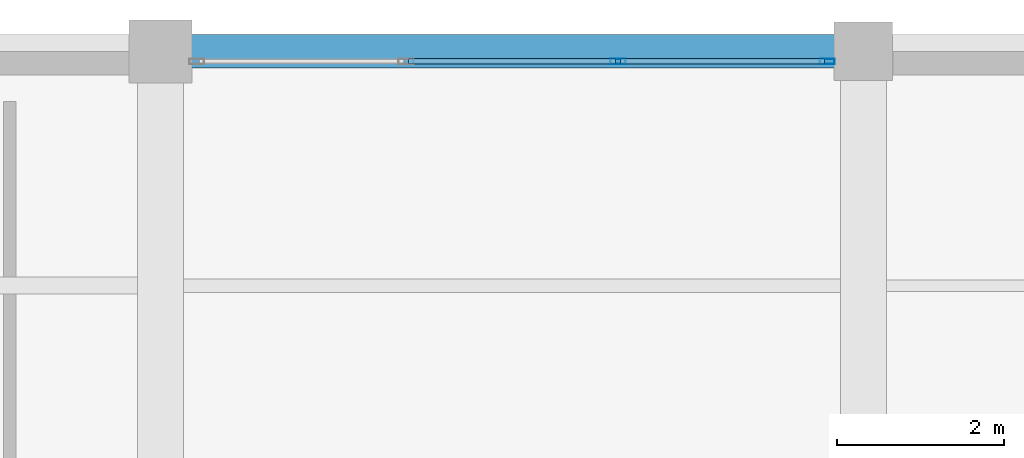
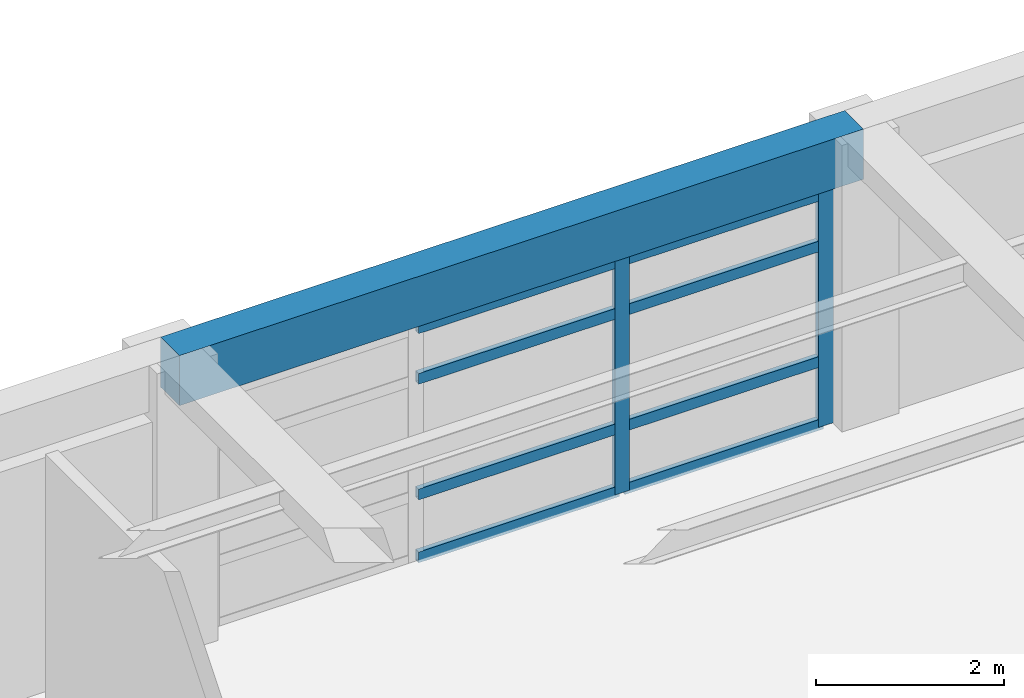
# One storey, part 17 of 26: 10 members, 1 beam, 1 element without a shape of its own.
"""IFC4 building model written with IfcOpenShell, lengths in metres."""

from ifc_helpers import new_model, si_unit, direction, frame, origin, origin_2d, place, context, subcontext, project, spatial, rectangle, hollow_rectangle, extrude, material, material_profile, profile_set, type_object, element, aggregate, save


model = new_model("IFC4")

# Units and contexts
model_context = context("Model", 3, precision=1e-05, world=origin(), true_north=direction((0.0, 1.0)))
body_context = subcontext(model_context, "Body", "Model", "MODEL_VIEW")
ifc_project = project(units=[si_unit("LENGTHUNIT", "METRE"), si_unit("AREAUNIT", "SQUARE_METRE"), si_unit("VOLUMEUNIT", "CUBIC_METRE"), si_unit("PLANEANGLEUNIT", "RADIAN"), si_unit("MASSUNIT", "GRAM", prefix="KILO")], contexts=[model_context])

# Site, building, storey
site_placement = place(None, origin())
site = spatial("IfcSite", under=ifc_project, at=site_placement, CompositionType="ELEMENT")
building_placement = place(site_placement, origin())
building = spatial("IfcBuilding", under=site, at=building_placement, Name="Almacenes y Pasaje Nevantli", CompositionType="ELEMENT")
storey_placement = place(building_placement, frame((0.0, 0.0, 38.699951171875)))
storey = spatial("IfcBuildingStorey", under=building, at=storey_placement, Name="L09", CompositionType="ELEMENT", Elevation=38.699951171875)

# Beam
ifc_material_1 = material(Name="Concrete C35/45", Category="concrete")
ifc_material_profile_1 = material_profile(ifc_material_1, rectangle(XDim=0.39990234375, YDim=0.64990234375, at=origin_2d()), Name="RC-BM-400x650")
ifc_profile_set_1 = profile_set([ifc_material_profile_1], Name="Concrete C35/45")
beam_type = type_object("IfcBeamType", Name="BM-RC-400x650", PredefinedType="SPANDREL", material=ifc_profile_set_1)
beam_placement = place(storey_placement, frame((117.60009765625, 100.800048828125, 3.39501953125), z_axis=(1.0, 0.0, 0.0), x_axis=(0.0, 1.0, 0.0)))
element("IfcBeam", 1, at=beam_placement, inside=storey, type_object=beam_type, Name="L09 East-West Reinforced Concrete Beam #3766", PredefinedType="SPANDREL", context=body_context, shape_type="SweptSolid", body=[
    extrude(rectangle(XDim=0.39990234375, YDim=0.64990234375, at=origin_2d()), origin(), (0.0, 0.0, 1.0), 8.39990234375),
])

# Curtain wall, members
ifc_material_2 = material(Name="Thermally Broken Aluminium and Low-E Glass", Category="aluminium")
curtain_wall_type = type_object("IfcCurtainWallType", Name="CW-UNIT-TOWER", PredefinedType="USERDEFINED", material=ifc_material_2)
curtain_wall_placement = place(storey_placement, origin())
curtain_wall = element("IfcCurtainWall", 2, at=curtain_wall_placement, inside=storey, type_object=curtain_wall_type, Name="L09 Tower North Boulevard Unitized Curtain Wall Bay 15", ObjectType="UNITIZED CURTAIN WALL", PredefinedType="USERDEFINED")
ifc_material_3 = material(Name="Thermally Broken Anodized Aluminium", Category="aluminium")
ifc_material_profile_2 = material_profile(ifc_material_3, hollow_rectangle(XDim=0.06494140625, YDim=0.179931640625, WallThickness=0.00390625, at=origin_2d()), Name="ALU-MUL-65x180")
ifc_profile_set_2 = profile_set([ifc_material_profile_2], Name="Thermally Broken Anodized Aluminium")
member_type_1 = type_object("IfcMemberType", Name="CW-MUL-200", PredefinedType="MULLION", material=ifc_profile_set_2)
member_1_placement = place(storey_placement, frame((123.066650390625, 100.679931640625, 0.0), z_axis=(0.0, 0.0, 1.0), x_axis=(0.0, 1.0, 0.0)))
member_1 = element("IfcMember", 3, at=member_1_placement, type_object=member_type_1, Name="CW-L09-132 mullion 3", PredefinedType="MULLION", context=body_context, shape_type="SweptSolid", body=[
    extrude(hollow_rectangle(XDim=0.06494140625, YDim=0.179931640625, WallThickness=0.00390625, at=origin_2d()), origin(), (0.0, 0.0, 1.0), 3.0400390625),
])
member_2_placement = place(storey_placement, frame((125.5673828125, 100.679931640625, 0.0), z_axis=(0.0, 0.0, 1.0), x_axis=(0.0, 1.0, 0.0)))
member_2 = element("IfcMember", 4, at=member_2_placement, type_object=member_type_1, Name="CW-L09-132 mullion 4", PredefinedType="MULLION", context=body_context, shape_type="SweptSolid", body=[
    extrude(hollow_rectangle(XDim=0.06494140625, YDim=0.179931640625, WallThickness=0.00390625, at=origin_2d()), origin(), (0.0, 0.0, 1.0), 3.0400390625),
])
ifc_material_4 = material(Name="Thermally Broken Anodized Aluminium", Category="aluminium")
ifc_material_profile_3 = material_profile(ifc_material_4, hollow_rectangle(XDim=0.06494140625, YDim=0.139892578125, WallThickness=0.00390625, at=origin_2d()), Name="ALU-TRN-65x140")
ifc_profile_set_3 = profile_set([ifc_material_profile_3], Name="Thermally Broken Anodized Aluminium")
member_type_2 = type_object("IfcMemberType", Name="CW-TRN-150", PredefinedType="USERDEFINED", material=ifc_profile_set_3)
member_3_placement = place(storey_placement, frame((120.56591796875, 100.679931640625, 0.032470703125), z_axis=(1.0, 0.0, 0.0), x_axis=(0.0, 1.0, 0.0)))
member_3 = element("IfcMember", 5, at=member_3_placement, type_object=member_type_2, Name="CW-L09-132 transom 2.1", ObjectType="TRANSOM", PredefinedType="USERDEFINED", context=body_context, shape_type="SweptSolid", body=[
    extrude(hollow_rectangle(XDim=0.06494140625, YDim=0.139892578125, WallThickness=0.00390625, at=origin_2d()), origin(), (0.0, 0.0, 1.0), 2.46826171875),
])
member_4_placement = place(storey_placement, frame((120.56591796875, 100.679931640625, 0.85009765625), z_axis=(1.0, 0.0, 0.0), x_axis=(0.0, 1.0, 0.0)))
member_4 = element("IfcMember", 6, at=member_4_placement, type_object=member_type_2, Name="CW-L09-132 transom 2.2", ObjectType="TRANSOM", PredefinedType="USERDEFINED", context=body_context, shape_type="SweptSolid", body=[
    extrude(hollow_rectangle(XDim=0.06494140625, YDim=0.139892578125, WallThickness=0.00390625, at=origin_2d()), origin(), (0.0, 0.0, 1.0), 2.46826171875),
])
member_5_placement = place(storey_placement, frame((120.56591796875, 100.679931640625, 2.35009765625), z_axis=(1.0, 0.0, 0.0), x_axis=(0.0, 1.0, 0.0)))
member_5 = element("IfcMember", 7, at=member_5_placement, type_object=member_type_2, Name="CW-L09-132 transom 2.3", ObjectType="TRANSOM", PredefinedType="USERDEFINED", context=body_context, shape_type="SweptSolid", body=[
    extrude(hollow_rectangle(XDim=0.06494140625, YDim=0.139892578125, WallThickness=0.00390625, at=origin_2d()), origin(), (0.0, 0.0, 1.0), 2.46826171875),
])
member_6_placement = place(storey_placement, frame((120.56591796875, 100.679931640625, 3.007568359375), z_axis=(1.0, 0.0, 0.0), x_axis=(0.0, 1.0, 0.0)))
member_6 = element("IfcMember", 8, at=member_6_placement, type_object=member_type_2, Name="CW-L09-132 transom 2.4", ObjectType="TRANSOM", PredefinedType="USERDEFINED", context=body_context, shape_type="SweptSolid", body=[
    extrude(hollow_rectangle(XDim=0.06494140625, YDim=0.139892578125, WallThickness=0.00390625, at=origin_2d()), origin(), (0.0, 0.0, 1.0), 2.46826171875),
])
member_7_placement = place(storey_placement, frame((123.09912109375, 100.679931640625, 0.032470703125), z_axis=(1.0, 0.0, 0.0), x_axis=(0.0, 1.0, 0.0)))
member_7 = element("IfcMember", 9, at=member_7_placement, type_object=member_type_2, Name="CW-L09-132 transom 3.1", ObjectType="TRANSOM", PredefinedType="USERDEFINED", context=body_context, shape_type="SweptSolid", body=[
    extrude(hollow_rectangle(XDim=0.06494140625, YDim=0.139892578125, WallThickness=0.00390625, at=origin_2d()), origin(), (0.0, 0.0, 1.0), 2.435791015625),
])
member_8_placement = place(storey_placement, frame((123.09912109375, 100.679931640625, 0.85009765625), z_axis=(1.0, 0.0, 0.0), x_axis=(0.0, 1.0, 0.0)))
member_8 = element("IfcMember", 10, at=member_8_placement, type_object=member_type_2, Name="CW-L09-132 transom 3.2", ObjectType="TRANSOM", PredefinedType="USERDEFINED", context=body_context, shape_type="SweptSolid", body=[
    extrude(hollow_rectangle(XDim=0.06494140625, YDim=0.139892578125, WallThickness=0.00390625, at=origin_2d()), origin(), (0.0, 0.0, 1.0), 2.435791015625),
])
member_9_placement = place(storey_placement, frame((123.09912109375, 100.679931640625, 2.35009765625), z_axis=(1.0, 0.0, 0.0), x_axis=(0.0, 1.0, 0.0)))
member_9 = element("IfcMember", 11, at=member_9_placement, type_object=member_type_2, Name="CW-L09-132 transom 3.3", ObjectType="TRANSOM", PredefinedType="USERDEFINED", context=body_context, shape_type="SweptSolid", body=[
    extrude(hollow_rectangle(XDim=0.06494140625, YDim=0.139892578125, WallThickness=0.00390625, at=origin_2d()), origin(), (0.0, 0.0, 1.0), 2.435791015625),
])
member_10_placement = place(storey_placement, frame((123.09912109375, 100.679931640625, 3.007568359375), z_axis=(1.0, 0.0, 0.0), x_axis=(0.0, 1.0, 0.0)))
member_10 = element("IfcMember", 12, at=member_10_placement, type_object=member_type_2, Name="CW-L09-132 transom 3.4", ObjectType="TRANSOM", PredefinedType="USERDEFINED", context=body_context, shape_type="SweptSolid", body=[
    extrude(hollow_rectangle(XDim=0.06494140625, YDim=0.139892578125, WallThickness=0.00390625, at=origin_2d()), origin(), (0.0, 0.0, 1.0), 2.435791015625),
])
aggregate(curtain_wall, [member_1, member_2, member_3, member_4, member_5, member_6, member_7, member_8, member_9, member_10])

save(model, "model.ifc")
